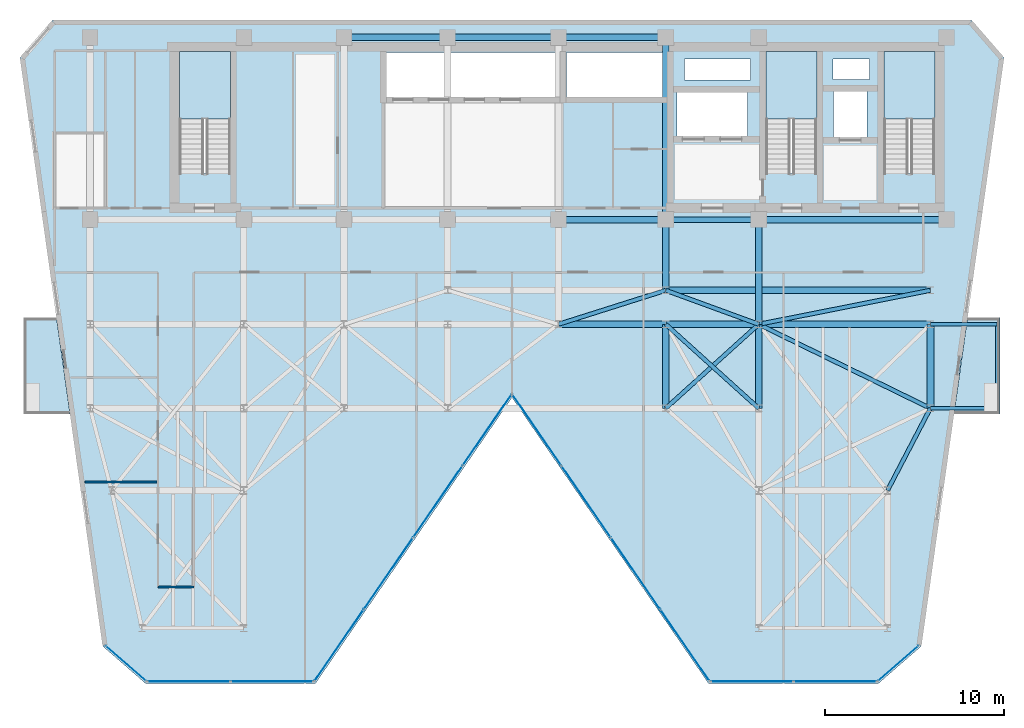
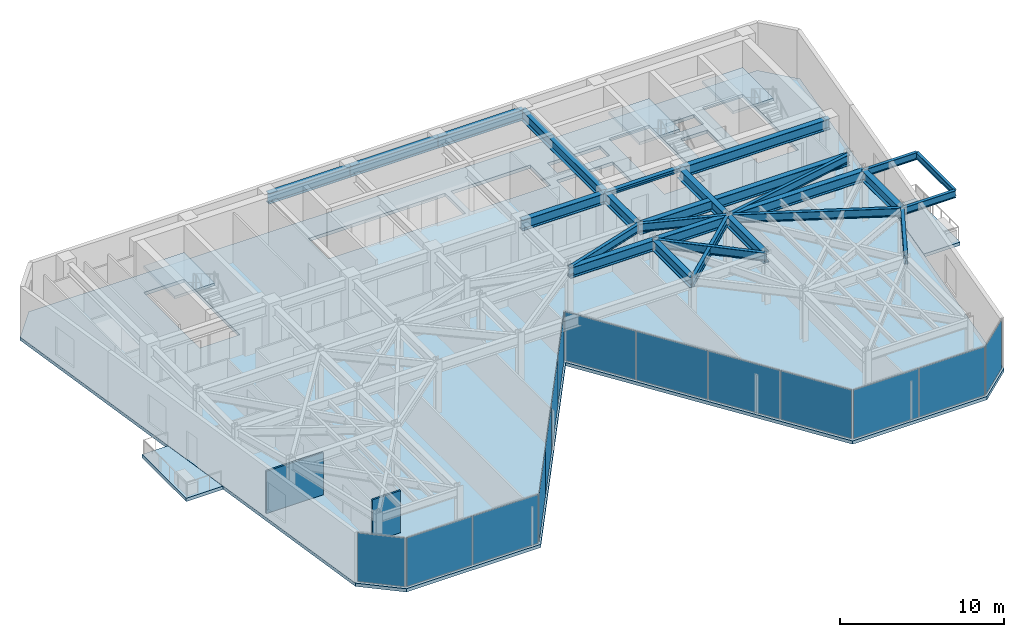
# One storey, part 15 of 21: 26 beams, 14 plates, 6 slabs, 2 walls, 9 elements without a shape of their own.
"""IFC4 building model written with IfcOpenShell, lengths in metres."""

from ifc_helpers import new_model, si_unit, direction, frame, frame_2d, origin, origin_2d, place, context, subcontext, project, spatial, polyline, rectangle, i_section, outline, extrude, material, layer, layer_set, material_profile, profile_set, type_object, element, aggregate, save


model = new_model("IFC4")

# Units and contexts
model_context = context("Model", 3, precision=1e-05, world=origin(), true_north=direction((0.0, 1.0)))
body_context = subcontext(model_context, "Body", "Model", "MODEL_VIEW")
ifc_project = project(units=[si_unit("LENGTHUNIT", "METRE"), si_unit("AREAUNIT", "SQUARE_METRE"), si_unit("VOLUMEUNIT", "CUBIC_METRE"), si_unit("PLANEANGLEUNIT", "RADIAN"), si_unit("MASSUNIT", "GRAM", prefix="KILO")], contexts=[model_context])

# Site, building, storey
site_placement = place(None, origin())
site = spatial("IfcSite", under=ifc_project, at=site_placement, CompositionType="ELEMENT")
building_placement = place(site_placement, origin())
building = spatial("IfcBuilding", under=site, at=building_placement, Name="Kravanh Interchange Tower", CompositionType="ELEMENT")
storey_placement = place(building_placement, frame((0.0, 0.0, 192.5)))
storey = spatial("IfcBuildingStorey", under=building, at=storey_placement, Name="L46", CompositionType="ELEMENT", Elevation=192.5)

# Beams
ifc_material_1 = material(Name="Structural Steel S355", Category="steel")
ifc_material_profile_1 = material_profile(ifc_material_1, i_section(OverallWidth=0.381103515625, OverallDepth=0.77294921875, WebThickness=0.0166015625, FlangeThickness=0.027099609375, FilletRadius=0.02490234375, at=origin_2d()), Name="W30X173")
ifc_profile_set_1 = profile_set([ifc_material_profile_1], Name="Structural Steel S355")
beam_type_1 = type_object("IfcBeamType", Name="Floor Beam W30X173 Structural Steel S355", PredefinedType="BEAM", material=ifc_profile_set_1)
beam_1_placement = place(storey_placement, frame((66.5, 37.35009765625, 3.368408203125), z_axis=(-1.0, 0.0, 0.0), x_axis=(0.0, -1.0, 0.0)))
element("IfcBeam", 1, at=beam_1_placement, inside=storey, type_object=beam_type_1, Name="L46 Primary Floor Girder 5", PredefinedType="BEAM", context=body_context, shape_type="SweptSolid", body=[
    extrude(i_section(OverallWidth=0.381103515625, OverallDepth=0.77294921875, WebThickness=0.0166015625, FlangeThickness=0.027099609375, FilletRadius=0.02490234375, at=origin_2d()), origin(), (0.0, 0.0, 1.0), 10.5),
])
beam_2_placement = place(storey_placement, frame((56.0, 37.35009765625, 3.368408203125), z_axis=(0.0, -1.0, 0.0), x_axis=(1.0, 0.0, 0.0)))
element("IfcBeam", 2, at=beam_2_placement, inside=storey, type_object=beam_type_1, Name="L46 Primary Floor Girder 7", PredefinedType="BEAM", context=body_context, shape_type="SweptSolid", body=[
    extrude(i_section(OverallWidth=0.381103515625, OverallDepth=0.77294921875, WebThickness=0.0166015625, FlangeThickness=0.027099609375, FilletRadius=0.02490234375, at=origin_2d()), origin(), (0.0, 0.0, 1.0), 5.85009765625),
])
beam_3_placement = place(storey_placement, frame((50.800048828125, 47.550048828125, 3.368408203125), z_axis=(-1.0, 0.0, 0.0), x_axis=(0.0, -1.0, 0.0)))
element("IfcBeam", 3, at=beam_3_placement, inside=storey, type_object=beam_type_1, Name="L46 Primary Floor Girder 8", PredefinedType="BEAM", context=body_context, shape_type="SweptSolid", body=[
    extrude(i_section(OverallWidth=0.381103515625, OverallDepth=0.77294921875, WebThickness=0.0166015625, FlangeThickness=0.027099609375, FilletRadius=0.02490234375, at=origin_2d()), origin(), (0.0, 0.0, 1.0), 6.0),
])
beam_4_placement = place(storey_placement, frame((50.800048828125, 47.550048828125, 3.368408203125), z_axis=(0.0, -1.0, 0.0), x_axis=(1.0, 0.0, 0.0)))
element("IfcBeam", 4, at=beam_4_placement, inside=storey, type_object=beam_type_1, Name="L46 Primary Floor Girder 9", PredefinedType="BEAM", context=body_context, shape_type="SweptSolid", body=[
    extrude(i_section(OverallWidth=0.381103515625, OverallDepth=0.77294921875, WebThickness=0.0166015625, FlangeThickness=0.027099609375, FilletRadius=0.02490234375, at=origin_2d()), origin(), (0.0, 0.0, 1.0), 10.199951171875),
])
beam_5_placement = place(storey_placement, frame((50.800048828125, 37.35009765625, 3.368408203125), z_axis=(0.0, -1.0, 0.0), x_axis=(1.0, 0.0, 0.0)))
element("IfcBeam", 5, at=beam_5_placement, inside=storey, type_object=beam_type_1, Name="L46 Primary Floor Girder 10", PredefinedType="BEAM", context=body_context, shape_type="SweptSolid", body=[
    extrude(i_section(OverallWidth=0.381103515625, OverallDepth=0.77294921875, WebThickness=0.0166015625, FlangeThickness=0.027099609375, FilletRadius=0.02490234375, at=origin_2d()), origin(), (0.0, 0.0, 1.0), 3.9501953125),
])
beam_6_placement = place(storey_placement, frame((50.800048828125, 37.35009765625, 3.368408203125), z_axis=(-1.0, 0.0, 0.0), x_axis=(0.0, -1.0, 0.0)))
element("IfcBeam", 6, at=beam_6_placement, inside=storey, type_object=beam_type_1, Name="L46 Primary Floor Girder 11", PredefinedType="BEAM", context=body_context, shape_type="SweptSolid", body=[
    extrude(i_section(OverallWidth=0.381103515625, OverallDepth=0.77294921875, WebThickness=0.0166015625, FlangeThickness=0.027099609375, FilletRadius=0.02490234375, at=origin_2d()), origin(), (0.0, 0.0, 1.0), 6.0),
])
beam_7_placement = place(storey_placement, frame((44.800048828125, 47.550048828125, 3.368408203125), z_axis=(-1.0, 0.0, 0.0), x_axis=(0.0, -1.0, 0.0)))
element("IfcBeam", 7, at=beam_7_placement, inside=storey, type_object=beam_type_1, Name="L46 Primary Floor Girder 15", PredefinedType="BEAM", context=body_context, shape_type="SweptSolid", body=[
    extrude(i_section(OverallWidth=0.381103515625, OverallDepth=0.77294921875, WebThickness=0.0166015625, FlangeThickness=0.027099609375, FilletRadius=0.02490234375, at=origin_2d()), origin(), (0.0, 0.0, 1.0), 6.199951171875),
])
beam_8_placement = place(storey_placement, frame((38.60009765625, 47.550048828125, 3.368408203125), z_axis=(-1.0, 0.0, 0.0), x_axis=(0.0, -1.0, 0.0)))
element("IfcBeam", 8, at=beam_8_placement, inside=storey, type_object=beam_type_1, Name="L46 Primary Floor Girder 19", PredefinedType="BEAM", context=body_context, shape_type="SweptSolid", body=[
    extrude(i_section(OverallWidth=0.381103515625, OverallDepth=0.77294921875, WebThickness=0.0166015625, FlangeThickness=0.027099609375, FilletRadius=0.02490234375, at=origin_2d()), origin(), (0.0, 0.0, 1.0), 5.800048828125),
])
for number, where, z_axis, x_axis, name in (
    (9, (50.800048828125, 26.800048828125, 3.368408203125), (0.0, 1.0, 0.0), (-1.0, 0.0, 0.0), "L46 Primary Floor Girder 49"),
    (10, (56.0, 26.800048828125, 3.368408203125), (0.0, 1.0, 0.0), (-1.0, 0.0, 0.0), "L46 Primary Floor Girder 54"),
    (11, (65.60009765625, 26.800048828125, 3.368408203125), (0.0, 1.0, 0.0), (-1.0, 0.0, 0.0), "L46 Primary Floor Girder 57"),
):
    element("IfcBeam", number, at=place(storey_placement, frame(where, z_axis=z_axis, x_axis=x_axis)), inside=storey, type_object=beam_type_1, Name=name, PredefinedType="BEAM", context=body_context, shape_type="SweptSolid", body=[
        extrude(i_section(OverallWidth=0.381103515625, OverallDepth=0.77294921875, WebThickness=0.0166015625, FlangeThickness=0.027099609375, FilletRadius=0.02490234375, at=origin_2d()), origin(), (0.0, 0.0, 1.0), 4.699951171875),
    ])
beam_9_placement = place(storey_placement, frame((44.800048828125, 31.5, 3.368408203125), z_axis=(1.0, 0.0, 0.0), x_axis=(0.0, 1.0, 0.0)))
element("IfcBeam", 12, at=beam_9_placement, inside=storey, type_object=beam_type_1, Name="L46 Primary Floor Girder 74", PredefinedType="BEAM", context=body_context, shape_type="SweptSolid", body=[
    extrude(i_section(OverallWidth=0.381103515625, OverallDepth=0.77294921875, WebThickness=0.0166015625, FlangeThickness=0.027099609375, FilletRadius=0.02490234375, at=origin_2d()), origin(), (0.0, 0.0, 1.0), 6.0),
])
beam_10_placement = place(storey_placement, frame((50.800048828125, 31.5, 3.368408203125), z_axis=(1.0, 0.0, 0.0), x_axis=(0.0, 1.0, 0.0)))
element("IfcBeam", 13, at=beam_10_placement, inside=storey, type_object=beam_type_1, Name="L46 Primary Floor Girder 77", PredefinedType="BEAM", context=body_context, shape_type="SweptSolid", body=[
    extrude(i_section(OverallWidth=0.381103515625, OverallDepth=0.77294921875, WebThickness=0.0166015625, FlangeThickness=0.027099609375, FilletRadius=0.02490234375, at=origin_2d()), origin(), (0.0, 0.0, 1.0), 5.199951171875),
])
beam_11_placement = place(storey_placement, frame((56.0, 31.5, 3.368408203125), z_axis=(1.0, 0.0, 0.0), x_axis=(0.0, 1.0, 0.0)))
element("IfcBeam", 14, at=beam_11_placement, inside=storey, type_object=beam_type_1, Name="L46 Primary Floor Girder 81", PredefinedType="BEAM", context=body_context, shape_type="SweptSolid", body=[
    extrude(i_section(OverallWidth=0.381103515625, OverallDepth=0.77294921875, WebThickness=0.0166015625, FlangeThickness=0.027099609375, FilletRadius=0.02490234375, at=origin_2d()), origin(), (0.0, 0.0, 1.0), 9.60009765625),
])
beam_12_placement = place(storey_placement, frame((50.800048828125, 33.39990234375, 3.368408203125), z_axis=(1.0, 0.0, 0.0), x_axis=(0.0, 1.0, 0.0)))
element("IfcBeam", 15, at=beam_12_placement, inside=storey, type_object=beam_type_1, Name="L46 Primary Floor Girder 95", PredefinedType="BEAM", context=body_context, shape_type="SweptSolid", body=[
    extrude(i_section(OverallWidth=0.381103515625, OverallDepth=0.77294921875, WebThickness=0.0166015625, FlangeThickness=0.027099609375, FilletRadius=0.02490234375, at=origin_2d()), origin(), (0.0, 0.0, 1.0), 14.800048828125),
])
ifc_material_2 = material(Name="Structural Steel S355", Category="steel")
ifc_material_profile_2 = material_profile(ifc_material_2, i_section(OverallWidth=0.18994140625, OverallDepth=0.45703125, WebThickness=0.009033203125, FlangeThickness=0.014404296875, FilletRadius=0.01806640625, at=origin_2d()), Name="W18X50")
ifc_profile_set_2 = profile_set([ifc_material_profile_2], Name="Structural Steel S355")
beam_type_2 = type_object("IfcBeamType", Name="Floor Joist W18X50 Structural Steel S355", PredefinedType="JOIST", material=ifc_profile_set_2)
beam_13_placement = place(storey_placement, frame((69.330078125, 26.800048828125, 3.526611328125), z_axis=(0.0, 1.0, 0.0), x_axis=(-1.0, 0.0, 0.0)))
element("IfcBeam", 16, at=beam_13_placement, inside=storey, type_object=beam_type_2, Name="L46 Balcony Edge Tie Beam E", PredefinedType="JOIST", context=body_context, shape_type="SweptSolid", body=[
    extrude(i_section(OverallWidth=0.18994140625, OverallDepth=0.45703125, WebThickness=0.009033203125, FlangeThickness=0.014404296875, FilletRadius=0.01806640625, at=origin_2d()), origin(), (0.0, 0.0, 1.0), 4.699951171875),
])
ifc_material_3 = material(Name="Structural Steel S355", Category="steel")
ifc_material_profile_3 = material_profile(ifc_material_3, i_section(OverallWidth=0.304931640625, OverallDepth=0.306884765625, WebThickness=0.010009765625, FlangeThickness=0.015380859375, FilletRadius=0.014892578125, at=origin_2d()), Name="W12X65")
ifc_profile_set_3 = profile_set([ifc_material_profile_3], Name="Structural Steel S355")
beam_type_3 = type_object("IfcBeamType", Name="Floor Lintel W12X65 Structural Steel S355", PredefinedType="LINTEL", material=ifc_profile_set_3)
beam_14_placement = place(storey_placement, frame((50.800048828125, 37.35009765625, 3.6015625), z_axis=(1.0, 0.0, 0.0), x_axis=(0.0, 1.0, 0.0)))
element("IfcBeam", 17, at=beam_14_placement, inside=storey, type_object=beam_type_3, Name="L46 Core Coupling Lintel 1", PredefinedType="LINTEL", context=body_context, shape_type="SweptSolid", body=[
    extrude(i_section(OverallWidth=0.304931640625, OverallDepth=0.306884765625, WebThickness=0.010009765625, FlangeThickness=0.015380859375, FilletRadius=0.014892578125, at=origin_2d()), origin(), (0.0, 0.0, 1.0), 5.199951171875),
])
ifc_material_4 = material(Name="Structural Steel S355", Category="steel")
ifc_material_profile_4 = material_profile(ifc_material_4, i_section(OverallWidth=0.2099609375, OverallDepth=0.537109375, WebThickness=0.010986328125, FlangeThickness=0.017333984375, FilletRadius=0.02001953125, at=origin_2d()), Name="W21X68")
ifc_profile_set_4 = profile_set([ifc_material_profile_4], Name="Structural Steel S355")
beam_type_4 = type_object("IfcBeamType", Name="Floor Spandrel W21X68 Structural Steel S355", PredefinedType="SPANDREL", material=ifc_profile_set_4)
for number, where, z_axis, x_axis, name in (
    (18, (65.60009765625, 26.800048828125, 3.486572265625), (1.0, 0.0, 0.0), (0.0, 1.0, 0.0), "L46 Balcony Cantilever Outrigger E1"),
    (19, (65.60009765625, 31.5, 3.486572265625), (1.0, 0.0, 0.0), (0.0, 1.0, 0.0), "L46 Balcony Cantilever Outrigger E2"),
):
    element("IfcBeam", number, at=place(storey_placement, frame(where, z_axis=z_axis, x_axis=x_axis)), inside=storey, type_object=beam_type_4, Name=name, PredefinedType="SPANDREL", context=body_context, shape_type="SweptSolid", body=[
        extrude(i_section(OverallWidth=0.2099609375, OverallDepth=0.537109375, WebThickness=0.010986328125, FlangeThickness=0.017333984375, FilletRadius=0.02001953125, at=origin_2d()), origin(), (0.0, 0.0, 1.0), 3.72998046875),
    ])
ifc_material_5 = material(Name="Structural Steel S355", Category="steel")
ifc_material_profile_5 = material_profile(ifc_material_5, i_section(OverallWidth=0.22802734375, OverallDepth=0.60791015625, WebThickness=0.01123046875, FlangeThickness=0.017333984375, FilletRadius=0.02197265625, at=origin_2d()), Name="W24X76")
ifc_profile_set_5 = profile_set([ifc_material_profile_5], Name="Structural Steel S355")
beam_type_5 = type_object("IfcBeamType", Name="Floor Spandrel W24X76 Structural Steel S355", PredefinedType="SPANDREL", material=ifc_profile_set_5)
for number, where, z_axis, x_axis, name in (
    (20, (50.800048828125, 26.800048828125, 3.450927734375), (0.741874009795, 0.670539300557, 0.0), (-0.670539300557, 0.741874009795, 0.0), "L46 Perimeter Spandrel 52"),
    (21, (56.0, 26.800048828125, 3.450927734375), (-0.741874009795, 0.670539300557, 0.0), (-0.670539300557, -0.741874009795, 0.0), "L46 Perimeter Spandrel 55"),
):
    element("IfcBeam", number, at=place(storey_placement, frame(where, z_axis=z_axis, x_axis=x_axis)), inside=storey, type_object=beam_type_5, Name=name, PredefinedType="SPANDREL", context=body_context, shape_type="SweptSolid", body=[
        extrude(i_section(OverallWidth=0.22802734375, OverallDepth=0.60791015625, WebThickness=0.01123046875, FlangeThickness=0.017333984375, FilletRadius=0.02197265625, at=origin_2d()), origin(), (0.0, 0.0, 1.0), 7.00927734375),
    ])
beam_15_placement = place(storey_placement, frame((65.60009765625, 26.800048828125, 3.450927734375), z_axis=(-0.462580479178, -0.886577295155, 0.0), x_axis=(0.886577295155, -0.462580479178, 0.0)))
element("IfcBeam", 22, at=beam_15_placement, inside=storey, type_object=beam_type_5, Name="L46 Perimeter Spandrel 58", PredefinedType="SPANDREL", context=body_context, shape_type="SweptSolid", body=[
    extrude(i_section(OverallWidth=0.22802734375, OverallDepth=0.60791015625, WebThickness=0.01123046875, FlangeThickness=0.017333984375, FilletRadius=0.02197265625, at=origin_2d()), origin(), (0.0, 0.0, 1.0), 5.188720703125),
])
beam_16_placement = place(storey_placement, frame((65.60009765625, 26.800048828125, 3.450927734375), z_axis=(-0.898141688387, 0.439706160499, 0.0), x_axis=(-0.439706160499, -0.898141688387, 0.0)))
element("IfcBeam", 23, at=beam_16_placement, inside=storey, type_object=beam_type_5, Name="L46 Perimeter Spandrel 60", PredefinedType="SPANDREL", context=body_context, shape_type="SweptSolid", body=[
    extrude(i_section(OverallWidth=0.22802734375, OverallDepth=0.60791015625, WebThickness=0.01123046875, FlangeThickness=0.017333984375, FilletRadius=0.02197265625, at=origin_2d()), origin(), (0.0, 0.0, 1.0), 10.68896484375),
])
beam_17_placement = place(storey_placement, frame((44.800048828125, 31.5, 3.450927734375), z_axis=(0.953346691051, 0.301877602122, 0.0), x_axis=(-0.301877602122, 0.953346691051, 0.0)))
element("IfcBeam", 24, at=beam_17_placement, inside=storey, type_object=beam_type_5, Name="L46 Perimeter Spandrel 75", PredefinedType="SPANDREL", context=body_context, shape_type="SweptSolid", body=[
    extrude(i_section(OverallWidth=0.22802734375, OverallDepth=0.60791015625, WebThickness=0.01123046875, FlangeThickness=0.017333984375, FilletRadius=0.02197265625, at=origin_2d()), origin(), (0.0, 0.0, 1.0), 6.293701171875),
])
beam_18_placement = place(storey_placement, frame((56.0, 31.5, 3.450927734375), z_axis=(-0.93926957103, 0.343180233896, 0.0), x_axis=(-0.343180233896, -0.93926957103, 0.0)))
element("IfcBeam", 25, at=beam_18_placement, inside=storey, type_object=beam_type_5, Name="L46 Perimeter Spandrel 80", PredefinedType="SPANDREL", context=body_context, shape_type="SweptSolid", body=[
    extrude(i_section(OverallWidth=0.22802734375, OverallDepth=0.60791015625, WebThickness=0.01123046875, FlangeThickness=0.017333984375, FilletRadius=0.02197265625, at=origin_2d()), origin(), (0.0, 0.0, 1.0), 5.5361328125),
])
beam_19_placement = place(storey_placement, frame((56.0, 31.5, 3.450927734375), z_axis=(0.980974000807, 0.194139150457, 0.0), x_axis=(-0.194139150457, 0.980974000807, 0.0)))
element("IfcBeam", 26, at=beam_19_placement, inside=storey, type_object=beam_type_5, Name="L46 Perimeter Spandrel 82", PredefinedType="SPANDREL", context=body_context, shape_type="SweptSolid", body=[
    extrude(i_section(OverallWidth=0.22802734375, OverallDepth=0.60791015625, WebThickness=0.01123046875, FlangeThickness=0.017333984375, FilletRadius=0.02197265625, at=origin_2d()), origin(), (0.0, 0.0, 1.0), 9.786376953125),
])

# Slab
ifc_material_6 = material(Name="Concrete C50/60", Category="concrete")
ifc_layer_1 = layer(ifc_material_6, 0.2451171875)
ifc_layer_set_1 = layer_set([ifc_layer_1], Name="Composite Floor Slab Concrete C50/60 245mm")
slab_type_1 = type_object("IfcSlabType", Name="Composite Floor Slab Concrete C50/60 245mm", PredefinedType="FLOOR", material=ifc_layer_set_1)
slab_1_placement = place(storey_placement, frame((0.0, 0.0, -0.2451171875)))
element("IfcSlab", 27, at=slab_1_placement, inside=storey, type_object=slab_type_1, Name="L46 Structural Floor Slab", PredefinedType="FLOOR", context=body_context, shape_type="SweptSolid", body=[
    extrude(outline(polyline([(19.32177734375, 13.4794921875), (21.714111328125, 11.39990234375), (31.199951171875, 11.39990234375), (42.199951171875, 27.39990234375), (53.199951171875, 11.39990234375), (62.685791015625, 11.39990234375), (65.078125, 13.4794921875), (69.707763671875, 46.42041015625), (67.89990234375, 48.5), (16.5, 48.5), (14.6923828125, 46.42041015625), (19.32177734375, 13.4794921875)]), holes=[polyline([(65.85009765625, 39.925048828125), (65.85009765625, 46.75), (63.0, 46.75), (63.0, 39.925048828125), (65.85009765625, 39.925048828125)]), polyline([(59.25, 39.925048828125), (59.25, 46.75), (56.39990234375, 46.75), (56.39990234375, 39.925048828125), (59.25, 39.925048828125)]), polyline([(26.449951171875, 39.925048828125), (26.449951171875, 46.75), (23.60009765625, 46.75), (23.60009765625, 39.925048828125), (26.449951171875, 39.925048828125)]), polyline([(35.179931640625, 44.219970703125), (44.840087890625, 44.219970703125), (44.840087890625, 46.699951171875), (35.179931640625, 46.699951171875), (35.179931640625, 44.219970703125)]), polyline([(45.239990234375, 44.219970703125), (50.840087890625, 44.219970703125), (50.840087890625, 46.699951171875), (45.239990234375, 46.699951171875), (45.239990234375, 44.219970703125)]), polyline([(51.419921875, 42.02001953125), (55.3798828125, 42.02001953125), (55.3798828125, 44.47998046875), (51.419921875, 44.47998046875), (51.419921875, 42.02001953125)]), polyline([(60.179931640625, 41.97998046875), (62.06005859375, 41.97998046875), (62.06005859375, 44.52001953125), (60.179931640625, 44.52001953125), (60.179931640625, 41.97998046875)]), polyline([(60.14990234375, 45.199951171875), (62.199951171875, 45.199951171875), (62.199951171875, 46.35009765625), (60.14990234375, 46.35009765625), (60.14990234375, 45.199951171875)]), polyline([(51.85009765625, 45.14990234375), (55.550048828125, 45.14990234375), (55.550048828125, 46.35009765625), (51.85009765625, 46.35009765625), (51.85009765625, 45.14990234375)])]), origin(), (0.0, 0.0, 1.0), 0.2451171875),
])

# Stair, slab
ifc_material_7 = material(Name="Concrete C50/60", Category="concrete")
stair_type = type_object("IfcStairType", Name="Core Fire Exit Dogleg Stair Concrete C50/60", PredefinedType="HALF_TURN_STAIR", material=ifc_material_7)
stair_1_placement = place(storey_placement, origin())
stair_1 = element("IfcStair", 28, at=stair_1_placement, inside=storey, type_object=stair_type, Name="L46 Exit Stair ST1", PredefinedType="HALF_TURN_STAIR")
ifc_material_8 = material(Name="Concrete C50/60", Category="concrete")
ifc_layer_2 = layer(ifc_material_8, 0.199951171875)
ifc_layer_set_2 = layer_set([ifc_layer_2], Name="Concrete C50/60 Stair Half-Landing Slab 200mm")
slab_type_2 = type_object("IfcSlabType", Name="Concrete C50/60 Stair Half-Landing Slab 200mm", PredefinedType="LANDING", material=ifc_layer_set_2)
slab_2_placement = place(storey_placement, frame((0.0, 0.0, 1.800048828125)))
slab_2 = element("IfcSlab", 29, at=slab_2_placement, type_object=slab_type_2, Name="ST1 landing 1", PredefinedType="LANDING", context=body_context, shape_type="SweptSolid", body=[
    extrude(outline(polyline([(65.85009765625, 42.97998046875), (65.85009765625, 46.75), (63.0, 46.75), (63.0, 42.97998046875), (65.85009765625, 42.97998046875)])), origin(), (0.0, 0.0, 1.0), 0.199951171875),
])
aggregate(stair_1, [slab_2])

stair_2_placement = place(storey_placement, origin())
stair_2 = element("IfcStair", 30, at=stair_2_placement, inside=storey, type_object=stair_type, Name="L46 Exit Stair ST2", PredefinedType="HALF_TURN_STAIR")
slab_3_placement = place(storey_placement, frame((0.0, 0.0, 1.800048828125)))
slab_3 = element("IfcSlab", 31, at=slab_3_placement, type_object=slab_type_2, Name="ST2 landing 1", PredefinedType="LANDING", context=body_context, shape_type="SweptSolid", body=[
    extrude(outline(polyline([(59.25, 42.97998046875), (59.25, 46.75), (56.39990234375, 46.75), (56.39990234375, 42.97998046875), (59.25, 42.97998046875)])), origin(), (0.0, 0.0, 1.0), 0.199951171875),
])
aggregate(stair_2, [slab_3])

stair_3_placement = place(storey_placement, origin())
stair_3 = element("IfcStair", 32, at=stair_3_placement, inside=storey, type_object=stair_type, Name="L46 Exit Stair ST3", PredefinedType="HALF_TURN_STAIR")
slab_4_placement = place(storey_placement, frame((0.0, 0.0, 1.800048828125)))
slab_4 = element("IfcSlab", 33, at=slab_4_placement, type_object=slab_type_2, Name="ST3 landing 1", PredefinedType="LANDING", context=body_context, shape_type="SweptSolid", body=[
    extrude(outline(polyline([(26.449951171875, 42.97998046875), (26.449951171875, 46.75), (23.60009765625, 46.75), (23.60009765625, 42.97998046875), (26.449951171875, 42.97998046875)])), origin(), (0.0, 0.0, 1.0), 0.199951171875),
])
aggregate(stair_3, [slab_4])

# Curtain wall, plate
ifc_material_9 = material(Name="Anodised Bronze Aluminium", Category="aluminium")
ifc_layer_3 = layer(ifc_material_9, 0.179931640625)
ifc_layer_set_3 = layer_set([ifc_layer_3], Name="Unitised Curtain Wall System CW-Z3 Upper Office")
curtain_wall_type = type_object("IfcCurtainWallType", Name="Unitised Curtain Wall System CW-Z3 Upper Office", PredefinedType="NOTDEFINED", material=ifc_layer_set_3)
curtain_wall_1_placement = place(storey_placement, origin())
curtain_wall_1 = element("IfcCurtainWall", 34, at=curtain_wall_1_placement, inside=storey, type_object=curtain_wall_type, Name="L46 Unitised Curtain Wall CW-L46-01", PredefinedType="NOTDEFINED")
ifc_material_10 = material(Name="Low-E Laminated Architectural Glass", Category="glass")
ifc_layer_4 = layer(ifc_material_10, 0.02392578125)
ifc_layer_set_4 = layer_set([ifc_layer_4], Name="High-Selectivity Double Glazing 24mm")
plate_type = type_object("IfcPlateType", Name="High-Selectivity Double Glazing 24mm", PredefinedType="CURTAIN_PANEL", material=ifc_layer_set_4)
plate_1_placement = place(storey_placement, frame((63.80322265625, 12.5302734375, 0.06005859375), z_axis=(0.0, 0.0, 1.0), x_axis=(-0.754716645379, -0.65605090137, 0.0)))
plate_1 = element("IfcPlate", 35, at=plate_1_placement, type_object=plate_type, Name="CW-Z3 panel 1.1", PredefinedType="CURTAIN_PANEL", context=body_context, shape_type="SweptSolid", body=[
    extrude(rectangle(XDim=2.960205078125, YDim=0.02392578125, at=origin_2d()), origin(), (0.0, 0.0, 1.0), 3.635009765625),
])
aggregate(curtain_wall_1, [plate_1])

# Curtain wall, plates
curtain_wall_2_placement = place(storey_placement, origin())
curtain_wall_2 = element("IfcCurtainWall", 36, at=curtain_wall_2_placement, inside=storey, type_object=curtain_wall_type, Name="L46 Unitised Curtain Wall CW-L46-02", PredefinedType="NOTDEFINED")
plate_2_placement = place(storey_placement, frame((60.281494140625, 11.52001953125, 0.06005859375), z_axis=(0.0, 0.0, 1.0), x_axis=(-1.0, 0.0, 0.0)))
plate_2 = element("IfcPlate", 37, at=plate_2_placement, type_object=plate_type, Name="CW-Z3 panel 1.1", PredefinedType="CURTAIN_PANEL", context=body_context, shape_type="SweptSolid", body=[
    extrude(rectangle(XDim=4.598876953125, YDim=0.02392578125, at=origin_2d()), origin(), (0.0, 0.0, 1.0), 3.635009765625),
])
plate_3_placement = place(storey_placement, frame((55.62255859375, 11.52001953125, 0.06005859375), z_axis=(0.0, 0.0, 1.0), x_axis=(-1.0, 0.0, 0.0)))
plate_3 = element("IfcPlate", 38, at=plate_3_placement, type_object=plate_type, Name="CW-Z3 panel 2.1", PredefinedType="CURTAIN_PANEL", context=body_context, shape_type="SweptSolid", body=[
    extrude(rectangle(XDim=4.598876953125, YDim=0.02392578125, at=origin_2d()), origin(), (0.0, 0.0, 1.0), 3.635009765625),
])
aggregate(curtain_wall_2, [plate_2, plate_3])

curtain_wall_3_placement = place(storey_placement, origin())
curtain_wall_3 = element("IfcCurtainWall", 39, at=curtain_wall_3_placement, inside=storey, type_object=curtain_wall_type, Name="L46 Unitised Curtain Wall CW-L46-03", PredefinedType="NOTDEFINED")
plate_4_placement = place(storey_placement, frame((51.871826171875, 13.5439453125, 0.06005859375), z_axis=(0.0, 0.0, 1.0), x_axis=(-0.566528388217, 0.824042223035, 0.0)))
plate_4 = element("IfcPlate", 40, at=plate_4_placement, type_object=plate_type, Name="CW-Z3 panel 1.1", PredefinedType="CURTAIN_PANEL", context=body_context, shape_type="SweptSolid", body=[
    extrude(rectangle(XDim=4.7919921875, YDim=0.02392578125, at=origin_2d()), origin(), (0.0, 0.0, 1.0), 3.635009765625),
])
plate_5_placement = place(storey_placement, frame((49.114501953125, 17.554443359375, 0.06005859375), z_axis=(0.0, 0.0, 1.0), x_axis=(-0.566528388217, 0.824042223035, 0.0)))
plate_5 = element("IfcPlate", 41, at=plate_5_placement, type_object=plate_type, Name="CW-Z3 panel 2.1", PredefinedType="CURTAIN_PANEL", context=body_context, shape_type="SweptSolid", body=[
    extrude(rectangle(XDim=4.822021484375, YDim=0.02392578125, at=origin_2d()), origin(), (0.0, 0.0, 1.0), 3.635009765625),
])
plate_6_placement = place(storey_placement, frame((46.3486328125, 21.577392578125, 0.06005859375), z_axis=(0.0, 0.0, 1.0), x_axis=(-0.566528388217, 0.824042223035, 0.0)))
plate_6 = element("IfcPlate", 42, at=plate_6_placement, type_object=plate_type, Name="CW-Z3 panel 3.1", PredefinedType="CURTAIN_PANEL", context=body_context, shape_type="SweptSolid", body=[
    extrude(rectangle(XDim=4.822021484375, YDim=0.02392578125, at=origin_2d()), origin(), (0.0, 0.0, 1.0), 3.635009765625),
])
plate_7_placement = place(storey_placement, frame((43.59130859375, 25.587890625, 0.06005859375), z_axis=(0.0, 0.0, 1.0), x_axis=(-0.566528388217, 0.824042223035, 0.0)))
plate_7 = element("IfcPlate", 43, at=plate_7_placement, type_object=plate_type, Name="CW-Z3 panel 4.1", PredefinedType="CURTAIN_PANEL", context=body_context, shape_type="SweptSolid", body=[
    extrude(rectangle(XDim=4.7919921875, YDim=0.02392578125, at=origin_2d()), origin(), (0.0, 0.0, 1.0), 3.635009765625),
])
aggregate(curtain_wall_3, [plate_4, plate_5, plate_6, plate_7])

curtain_wall_4_placement = place(storey_placement, origin())
curtain_wall_4 = element("IfcCurtainWall", 44, at=curtain_wall_4_placement, inside=storey, type_object=curtain_wall_type, Name="L46 Unitised Curtain Wall CW-L46-04", PredefinedType="NOTDEFINED")
plate_8_placement = place(storey_placement, frame((40.80859375, 25.587890625, 0.06005859375), z_axis=(0.0, 0.0, 1.0), x_axis=(-0.566528388217, -0.824042223035, 0.0)))
plate_8 = element("IfcPlate", 45, at=plate_8_placement, type_object=plate_type, Name="CW-Z3 panel 1.1", PredefinedType="CURTAIN_PANEL", context=body_context, shape_type="SweptSolid", body=[
    extrude(rectangle(XDim=4.7919921875, YDim=0.02392578125, at=origin_2d()), origin(), (0.0, 0.0, 1.0), 3.635009765625),
])
plate_9_placement = place(storey_placement, frame((38.05126953125, 21.577392578125, 0.06005859375), z_axis=(0.0, 0.0, 1.0), x_axis=(-0.566528388217, -0.824042223035, 0.0)))
plate_9 = element("IfcPlate", 46, at=plate_9_placement, type_object=plate_type, Name="CW-Z3 panel 2.1", PredefinedType="CURTAIN_PANEL", context=body_context, shape_type="SweptSolid", body=[
    extrude(rectangle(XDim=4.822021484375, YDim=0.02392578125, at=origin_2d()), origin(), (0.0, 0.0, 1.0), 3.635009765625),
])
plate_10_placement = place(storey_placement, frame((35.28564453125, 17.554443359375, 0.06005859375), z_axis=(0.0, 0.0, 1.0), x_axis=(-0.566528388217, -0.824042223035, 0.0)))
plate_10 = element("IfcPlate", 47, at=plate_10_placement, type_object=plate_type, Name="CW-Z3 panel 3.1", PredefinedType="CURTAIN_PANEL", context=body_context, shape_type="SweptSolid", body=[
    extrude(rectangle(XDim=4.822021484375, YDim=0.02392578125, at=origin_2d()), origin(), (0.0, 0.0, 1.0), 3.635009765625),
])
plate_11_placement = place(storey_placement, frame((32.5283203125, 13.5439453125, 0.06005859375), z_axis=(0.0, 0.0, 1.0), x_axis=(-0.566528388217, -0.824042223035, 0.0)))
plate_11 = element("IfcPlate", 48, at=plate_11_placement, type_object=plate_type, Name="CW-Z3 panel 4.1", PredefinedType="CURTAIN_PANEL", context=body_context, shape_type="SweptSolid", body=[
    extrude(rectangle(XDim=4.7919921875, YDim=0.02392578125, at=origin_2d()), origin(), (0.0, 0.0, 1.0), 3.635009765625),
])
aggregate(curtain_wall_4, [plate_8, plate_9, plate_10, plate_11])

curtain_wall_5_placement = place(storey_placement, origin())
curtain_wall_5 = element("IfcCurtainWall", 49, at=curtain_wall_5_placement, inside=storey, type_object=curtain_wall_type, Name="L46 Unitised Curtain Wall CW-L46-05", PredefinedType="NOTDEFINED")
plate_12_placement = place(storey_placement, frame((28.77734375, 11.52001953125, 0.06005859375), z_axis=(0.0, 0.0, 1.0), x_axis=(-1.0, 0.0, 0.0)))
plate_12 = element("IfcPlate", 50, at=plate_12_placement, type_object=plate_type, Name="CW-Z3 panel 1.1", PredefinedType="CURTAIN_PANEL", context=body_context, shape_type="SweptSolid", body=[
    extrude(rectangle(XDim=4.598876953125, YDim=0.02392578125, at=origin_2d()), origin(), (0.0, 0.0, 1.0), 3.635009765625),
])
plate_13_placement = place(storey_placement, frame((24.118408203125, 11.52001953125, 0.06005859375), z_axis=(0.0, 0.0, 1.0), x_axis=(-1.0, 0.0, 0.0)))
plate_13 = element("IfcPlate", 51, at=plate_13_placement, type_object=plate_type, Name="CW-Z3 panel 2.1", PredefinedType="CURTAIN_PANEL", context=body_context, shape_type="SweptSolid", body=[
    extrude(rectangle(XDim=4.598876953125, YDim=0.02392578125, at=origin_2d()), origin(), (0.0, 0.0, 1.0), 3.635009765625),
])
aggregate(curtain_wall_5, [plate_12, plate_13])

# Curtain wall, plate
curtain_wall_6_placement = place(storey_placement, origin())
curtain_wall_6 = element("IfcCurtainWall", 52, at=curtain_wall_6_placement, inside=storey, type_object=curtain_wall_type, Name="L46 Unitised Curtain Wall CW-L46-06", PredefinedType="NOTDEFINED")
plate_14_placement = place(storey_placement, frame((20.5966796875, 12.5302734375, 0.06005859375), z_axis=(0.0, 0.0, 1.0), x_axis=(-0.754716645379, 0.65605090137, 0.0)))
plate_14 = element("IfcPlate", 53, at=plate_14_placement, type_object=plate_type, Name="CW-Z3 panel 1.1", PredefinedType="CURTAIN_PANEL", context=body_context, shape_type="SweptSolid", body=[
    extrude(rectangle(XDim=2.960205078125, YDim=0.02392578125, at=origin_2d()), origin(), (0.0, 0.0, 1.0), 3.635009765625),
])
aggregate(curtain_wall_6, [plate_14])

# Slabs
ifc_material_11 = material(Name="Concrete C50/60", Category="concrete")
ifc_layer_5 = layer(ifc_material_11, 0.199951171875)
ifc_layer_set_5 = layer_set([ifc_layer_5], Name="Planted Tree Balcony Slab Concrete C50/60 200mm")
slab_type_3 = type_object("IfcSlabType", Name="Planted Tree Balcony Slab Concrete C50/60 200mm", PredefinedType="USERDEFINED", material=ifc_layer_set_5)
slab_5_placement = place(storey_placement, frame((0.0, 0.0, -0.2451171875)))
element("IfcSlab", 54, at=slab_5_placement, inside=storey, type_object=slab_type_3, Name="L46 East Tree Planter Balcony Slab", ObjectType="BALCONY", PredefinedType="USERDEFINED", context=body_context, shape_type="SweptSolid", body=[
    extrude(outline(polyline([(69.489990234375, 31.8701171875), (69.489990234375, 26.469970703125), (66.9189453125, 26.469970703125), (67.677978515625, 31.8701171875), (69.489990234375, 31.8701171875)])), origin(), (0.0, 0.0, 1.0), 0.2451171875),
])
slab_6_placement = place(storey_placement, frame((0.0, 0.0, -0.2451171875)))
element("IfcSlab", 55, at=slab_6_placement, inside=storey, type_object=slab_type_3, Name="L46 West Tree Planter Balcony Slab", ObjectType="BALCONY", PredefinedType="USERDEFINED", context=body_context, shape_type="SweptSolid", body=[
    extrude(outline(polyline([(14.886962890625, 26.469970703125), (14.886962890625, 31.8701171875), (16.72216796875, 31.8701171875), (17.48095703125, 26.469970703125), (14.886962890625, 26.469970703125)])), origin(), (0.0, 0.0, 1.0), 0.2451171875),
])

# Walls
ifc_material_12 = material(Name="Double Acoustic Gypsum Board and Mineral Wool")
ifc_layer_6 = layer(ifc_material_12, 0.1201171875)
ifc_layer_set_6 = layer_set([ifc_layer_6], Name="Acoustic Office Drywall Partition 120mm")
wall_type = type_object("IfcWallType", Name="Acoustic Office Drywall Partition 120mm", PredefinedType="PARTITIONING", material=ifc_layer_set_6)
wall_1_placement = place(storey_placement, frame((22.39990234375, 16.800048828125, 0.0), z_axis=(0.0, 0.0, 1.0), x_axis=(1.0, 0.0, 0.0)))
element("IfcWall", 56, at=wall_1_placement, inside=storey, type_object=wall_type, Name="L46 Interior Partition 22", PredefinedType="PARTITIONING", context=body_context, shape_type="SweptSolid", body=[
    extrude(rectangle(XDim=2.0, YDim=0.1201171875, at=frame_2d((1.0, 0.0))), origin(), (0.0, 0.0, 1.0), 3.14697265625),
])
wall_2_placement = place(storey_placement, frame((18.318115234375, 22.669921875, 0.0), z_axis=(0.0, 0.0, 1.0), x_axis=(1.0, 0.0, 0.0)))
element("IfcWall", 57, at=wall_2_placement, inside=storey, type_object=wall_type, Name="L46 Interior Partition 23", PredefinedType="PARTITIONING", context=body_context, shape_type="SweptSolid", body=[
    extrude(rectangle(XDim=4.013916015625, YDim=0.1201171875, at=frame_2d((2.0068359375, 0.0))), origin(), (0.0, 0.0, 1.0), 3.14697265625),
])

save(model, "model.ifc")
